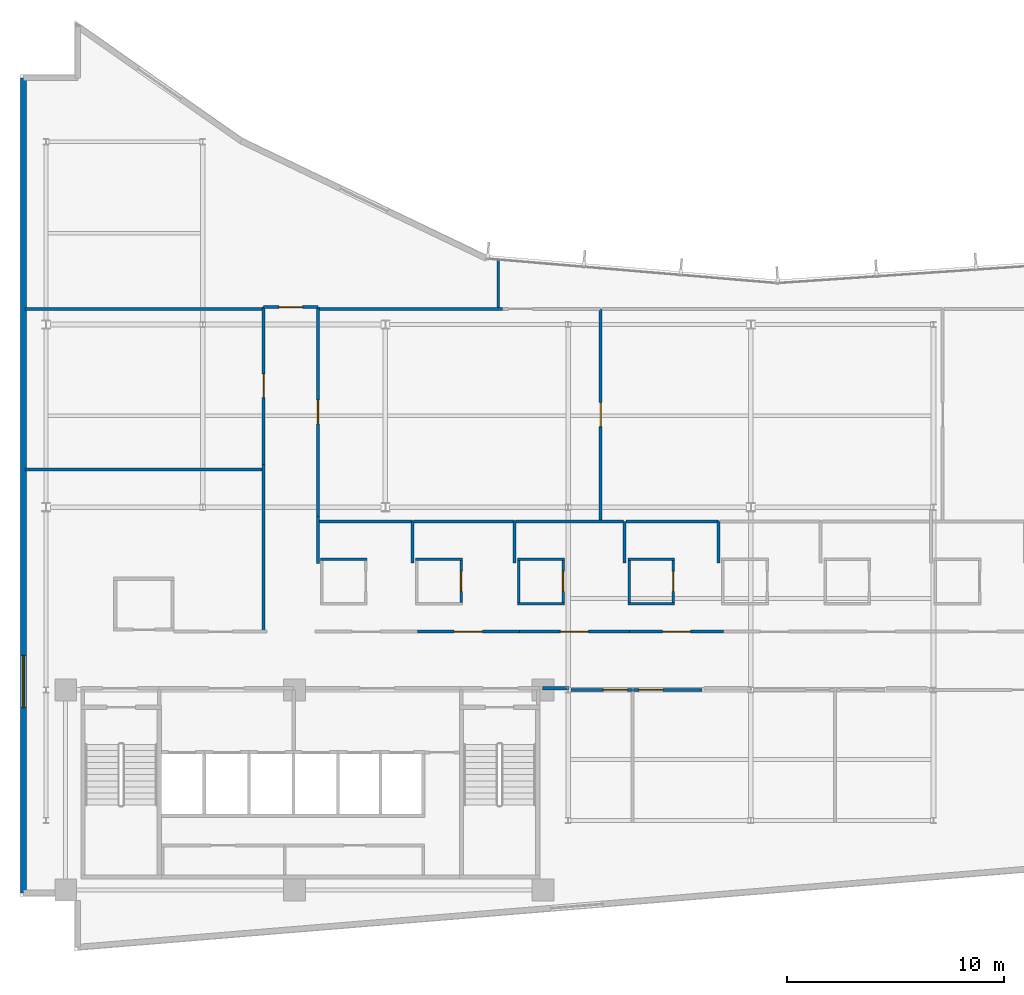
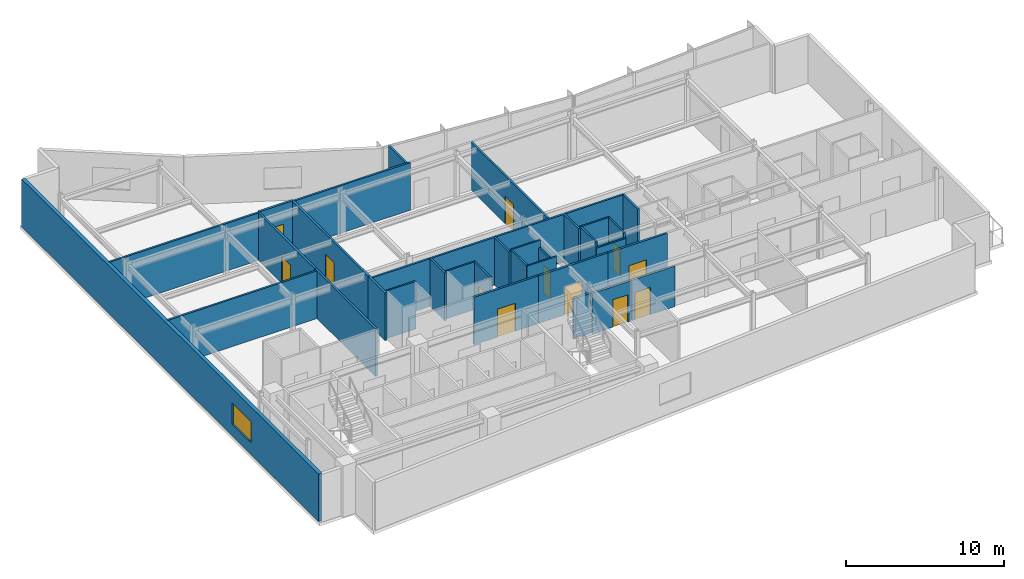
# One storey, part 10 of 15: 36 walls, 12 doors, 1 window, 13 openings.
"""IFC4 building model written with IfcOpenShell, lengths in metres."""

from ifc_helpers import new_model, si_unit, direction, frame, frame_2d, origin, place, context, subcontext, project, spatial, rectangle, extrude, material, layer, layer_set, type_object, element, fill, save


model = new_model("IFC4")

# Units and contexts
model_context = context("Model", 3, precision=1e-05, world=origin(), true_north=direction((0.0, 1.0)))
body_context = subcontext(model_context, "Body", "Model", "MODEL_VIEW")
ifc_project = project(units=[si_unit("LENGTHUNIT", "METRE"), si_unit("AREAUNIT", "SQUARE_METRE"), si_unit("VOLUMEUNIT", "CUBIC_METRE"), si_unit("PLANEANGLEUNIT", "RADIAN"), si_unit("MASSUNIT", "GRAM", prefix="KILO")], contexts=[model_context])

# Site, building, storey
site_placement = place(None, origin())
site = spatial("IfcSite", under=ifc_project, at=site_placement, CompositionType="ELEMENT")
building_placement = place(site_placement, origin())
building = spatial("IfcBuilding", under=site, at=building_placement, Name="Varnakote Quay Hospital", CompositionType="ELEMENT")
storey_placement = place(building_placement, frame((0.0, 0.0, 231.60009765625)))
storey = spatial("IfcBuildingStorey", under=building, at=storey_placement, Name="L57", CompositionType="ELEMENT", Elevation=231.60009765625)

# Walls
ifc_material_1 = material(Name="Fire-rated acoustic gypsum stud wall", Category="gypsum")
ifc_layer_1 = layer(ifc_material_1, 0.159912109375)
ifc_layer_set_1 = layer_set([ifc_layer_1], Name="Fire-rated acoustic gypsum stud wall")
wall_type_1 = type_object("IfcWallType", Name="WL-COMP-160", PredefinedType="PARTITIONING", material=ifc_layer_set_1)
wall_1_placement = place(storey_placement, frame((24.02001953125, 12.080078125, 0.0), z_axis=(0.0, 0.0, 1.0), x_axis=(1.0, 0.0, 0.0)))
element("IfcWall", 1, at=wall_1_placement, inside=storey, type_object=wall_type_1, Name="L57 Corridor South Gap Wall", PredefinedType="PARTITIONING", context=body_context, shape_type="SweptSolid", body=[
    extrude(rectangle(XDim=1.21875, YDim=0.159912109375, at=frame_2d((0.609375, 0.0))), origin(), (0.0, 0.0, 1.0), 3.11181640625),
])
ifc_material_2 = material(Name="Moisture-resistant bathroom partition", Category="gypsum")
ifc_layer_2 = layer(ifc_material_2, 0.114990234375)
ifc_layer_set_2 = layer_set([ifc_layer_2], Name="Moisture-resistant bathroom partition")
wall_type_2 = type_object("IfcWallType", Name="WL-ENS-115", PredefinedType="PARTITIONING", material=ifc_layer_set_2)
wall_2_placement = place(storey_placement, frame((13.804931640625, 18.017578125, 0.0), z_axis=(0.0, 0.0, 1.0), x_axis=(1.0, 0.0, 0.0)))
element("IfcWall", 2, at=wall_2_placement, inside=storey, type_object=wall_type_2, Name="L57 Inpatient En-Suite Bathroom 01 N Wall", PredefinedType="PARTITIONING", context=body_context, shape_type="SweptSolid", body=[
    extrude(rectangle(XDim=2.150146484375, YDim=0.114990234375, at=frame_2d((1.0751953125, 0.0))), origin(), (0.0, 0.0, 1.0), 3.669921875),
])
wall_3_placement = place(storey_placement, frame((18.18505859375, 18.017578125, 0.0), z_axis=(0.0, 0.0, 1.0), x_axis=(1.0, 0.0, 0.0)))
element("IfcWall", 3, at=wall_3_placement, inside=storey, type_object=wall_type_2, Name="L57 Inpatient En-Suite Bathroom 02 N Wall", PredefinedType="PARTITIONING", context=body_context, shape_type="SweptSolid", body=[
    extrude(rectangle(XDim=2.14990234375, YDim=0.114990234375, at=frame_2d((1.074951171875, 0.0))), origin(), (0.0, 0.0, 1.0), 3.669921875),
])

# Wall, opening, door
wall_4_placement = place(storey_placement, frame((20.277587890625, 16.010009765625, 0.0), z_axis=(0.0, 0.0, 1.0), x_axis=(0.0, 1.0, 0.0)))
wall_4 = element("IfcWall", 4, at=wall_4_placement, inside=storey, type_object=wall_type_2, Name="L57 Inpatient En-Suite Bathroom 02 E Wall", PredefinedType="PARTITIONING", context=body_context, shape_type="SweptSolid", body=[
    extrude(rectangle(XDim=1.949951171875, YDim=0.114990234375, at=frame_2d((0.97509765625, 0.0))), origin(), (0.0, 0.0, 1.0), 3.669921875),
])
opening_1_placement = place(wall_4_placement, frame((0.514892578125, 0.0, 0.0)))
opening_1 = element("IfcOpeningElement", 5, at=opening_1_placement, cuts=wall_4, Name="Opening D-L57-ENS02", PredefinedType="OPENING", context=body_context, shape_type="SweptSolid", body=[
    extrude(rectangle(XDim=0.919921875, YDim=2.10009765625, at=frame_2d((0.4599609375, 1.050048828125))), frame((0.0, 0.0673828125, 0.0), z_axis=(0.0, -1.0, 0.0), x_axis=(1.0, 0.0, 0.0)), (0.0, 0.0, 1.0), 0.135009765625),
])
ifc_material_3 = material(Name="Moisture-sealed en-suite bathroom door")
door_type_1 = type_object("IfcDoorType", Name="DR-ENS-920x2100", OperationType="NOTDEFINED", PredefinedType="DOOR", material=ifc_material_3)
door_1_placement = place(opening_1_placement, origin())
door_1 = element("IfcDoor", 6, at=door_1_placement, inside=storey, type_object=door_type_1, Name="L57 Inpatient En-Suite Bathroom 02 Door", OperationType="SINGLE_SWING_RIGHT", OverallHeight=2.10009765625, OverallWidth=0.919921875, PredefinedType="DOOR", context=body_context, shape_type="SweptSolid", body=[
    extrude(rectangle(XDim=0.919921875, YDim=2.10009765625, at=frame_2d((0.4599609375, 1.050048828125))), frame((0.0, 0.02490234375, 0.0), z_axis=(0.0, -1.0, 0.0), x_axis=(1.0, 0.0, 0.0)), (0.0, 0.0, 1.0), 0.050048828125),
])
fill(opening_1, door_1)

# Walls
for number, where, z_axis, x_axis, name in (
    (7, (22.875, 15.952392578125, 0.0), (0.0, 0.0, 1.0), (1.0, 0.0, 0.0), "L57 Inpatient En-Suite Bathroom 03 S Wall"),
    (8, (22.875, 18.017578125, 0.0), (0.0, 0.0, 1.0), (1.0, 0.0, 0.0), "L57 Inpatient En-Suite Bathroom 03 N Wall"),
):
    element("IfcWall", number, at=place(storey_placement, frame(where, z_axis=z_axis, x_axis=x_axis)), inside=storey, type_object=wall_type_2, Name=name, PredefinedType="PARTITIONING", context=body_context, shape_type="SweptSolid", body=[
        extrude(rectangle(XDim=2.14990234375, YDim=0.114990234375, at=frame_2d((1.074951171875, 0.0))), origin(), (0.0, 0.0, 1.0), 3.669921875),
    ])
wall_5_placement = place(storey_placement, frame((22.9326171875, 16.010009765625, 0.0), z_axis=(0.0, 0.0, 1.0), x_axis=(0.0, 1.0, 0.0)))
element("IfcWall", 9, at=wall_5_placement, inside=storey, type_object=wall_type_2, Name="L57 Inpatient En-Suite Bathroom 03 W Wall", PredefinedType="PARTITIONING", context=body_context, shape_type="SweptSolid", body=[
    extrude(rectangle(XDim=1.949951171875, YDim=0.114990234375, at=frame_2d((0.97509765625, 0.0))), origin(), (0.0, 0.0, 1.0), 3.669921875),
])

# Wall, opening, door
wall_6_placement = place(storey_placement, frame((24.967529296875, 16.010009765625, 0.0), z_axis=(0.0, 0.0, 1.0), x_axis=(0.0, 1.0, 0.0)))
wall_6 = element("IfcWall", 10, at=wall_6_placement, inside=storey, type_object=wall_type_2, Name="L57 Inpatient En-Suite Bathroom 03 E Wall", PredefinedType="PARTITIONING", context=body_context, shape_type="SweptSolid", body=[
    extrude(rectangle(XDim=1.949951171875, YDim=0.114990234375, at=frame_2d((0.97509765625, 0.0))), origin(), (0.0, 0.0, 1.0), 3.116943359375),
])
opening_2_placement = place(wall_6_placement, frame((0.514892578125, 0.0, 0.0)))
opening_2 = element("IfcOpeningElement", 11, at=opening_2_placement, cuts=wall_6, Name="Opening D-L57-ENS03", PredefinedType="OPENING", context=body_context, shape_type="SweptSolid", body=[
    extrude(rectangle(XDim=0.919921875, YDim=2.10009765625, at=frame_2d((0.4599609375, 1.050048828125))), frame((0.0, 0.0673828125, 0.0), z_axis=(0.0, -1.0, 0.0), x_axis=(1.0, 0.0, 0.0)), (0.0, 0.0, 1.0), 0.135009765625),
])
door_2_placement = place(opening_2_placement, origin())
door_2 = element("IfcDoor", 12, at=door_2_placement, inside=storey, type_object=door_type_1, Name="L57 Inpatient En-Suite Bathroom 03 Door", OperationType="SINGLE_SWING_LEFT", OverallHeight=2.10009765625, OverallWidth=0.919921875, PredefinedType="DOOR", context=body_context, shape_type="SweptSolid", body=[
    extrude(rectangle(XDim=0.919921875, YDim=2.10009765625, at=frame_2d((0.4599609375, 1.050048828125))), frame((0.0, 0.02490234375, 0.0), z_axis=(0.0, -1.0, 0.0), x_axis=(1.0, 0.0, 0.0)), (0.0, 0.0, 1.0), 0.050048828125),
])
fill(opening_2, door_2)

# Walls
wall_7_placement = place(storey_placement, frame((27.945068359375, 15.952392578125, 0.0), z_axis=(0.0, 0.0, 1.0), x_axis=(1.0, 0.0, 0.0)))
element("IfcWall", 13, at=wall_7_placement, inside=storey, type_object=wall_type_2, Name="L57 Inpatient En-Suite Bathroom 04 S Wall", PredefinedType="PARTITIONING", context=body_context, shape_type="SweptSolid", body=[
    extrude(rectangle(XDim=2.14990234375, YDim=0.114990234375, at=frame_2d((1.074951171875, 0.0))), origin(), (0.0, 0.0, 1.0), 3.288818359375),
])
wall_8_placement = place(storey_placement, frame((27.945068359375, 18.017578125, 0.0), z_axis=(0.0, 0.0, 1.0), x_axis=(1.0, 0.0, 0.0)))
element("IfcWall", 14, at=wall_8_placement, inside=storey, type_object=wall_type_2, Name="L57 Inpatient En-Suite Bathroom 04 N Wall", PredefinedType="PARTITIONING", context=body_context, shape_type="SweptSolid", body=[
    extrude(rectangle(XDim=2.14990234375, YDim=0.114990234375, at=frame_2d((1.074951171875, 0.0))), origin(), (0.0, 0.0, 1.0), 3.669921875),
])
wall_9_placement = place(storey_placement, frame((28.00244140625, 16.010009765625, 0.0), z_axis=(0.0, 0.0, 1.0), x_axis=(0.0, 1.0, 0.0)))
element("IfcWall", 15, at=wall_9_placement, inside=storey, type_object=wall_type_2, Name="L57 Inpatient En-Suite Bathroom 04 W Wall", PredefinedType="PARTITIONING", context=body_context, shape_type="SweptSolid", body=[
    extrude(rectangle(XDim=1.949951171875, YDim=0.114990234375, at=frame_2d((0.97509765625, 0.0))), origin(), (0.0, 0.0, 1.0), 3.669921875),
])

# Wall, opening, door
wall_10_placement = place(storey_placement, frame((30.03759765625, 16.010009765625, 0.0), z_axis=(0.0, 0.0, 1.0), x_axis=(0.0, 1.0, 0.0)))
wall_10 = element("IfcWall", 16, at=wall_10_placement, inside=storey, type_object=wall_type_2, Name="L57 Inpatient En-Suite Bathroom 04 E Wall", PredefinedType="PARTITIONING", context=body_context, shape_type="SweptSolid", body=[
    extrude(rectangle(XDim=1.949951171875, YDim=0.114990234375, at=frame_2d((0.97509765625, 0.0))), origin(), (0.0, 0.0, 1.0), 3.669921875),
])
opening_3_placement = place(wall_10_placement, frame((0.514892578125, 0.0, 0.0)))
opening_3 = element("IfcOpeningElement", 17, at=opening_3_placement, cuts=wall_10, Name="Opening D-L57-ENS04", PredefinedType="OPENING", context=body_context, shape_type="SweptSolid", body=[
    extrude(rectangle(XDim=0.919921875, YDim=2.10009765625, at=frame_2d((0.4599609375, 1.050048828125))), frame((0.0, 0.0673828125, 0.0), z_axis=(0.0, -1.0, 0.0), x_axis=(1.0, 0.0, 0.0)), (0.0, 0.0, 1.0), 0.135009765625),
])
door_3_placement = place(opening_3_placement, origin())
door_3 = element("IfcDoor", 18, at=door_3_placement, inside=storey, type_object=door_type_1, Name="L57 Inpatient En-Suite Bathroom 04 Door", OperationType="SINGLE_SWING_RIGHT", OverallHeight=2.10009765625, OverallWidth=0.919921875, PredefinedType="DOOR", context=body_context, shape_type="SweptSolid", body=[
    extrude(rectangle(XDim=0.919921875, YDim=2.10009765625, at=frame_2d((0.4599609375, 1.050048828125))), frame((0.0, 0.02490234375, 0.0), z_axis=(0.0, -1.0, 0.0), x_axis=(1.0, 0.0, 0.0)), (0.0, 0.0, 1.0), 0.050048828125),
])
fill(opening_3, door_3)

# Wall, opening, window
ifc_material_4 = material(Name="Precast concrete N50 (f'c 50 MPa)", Category="concrete")
ifc_layer_3 = layer(ifc_material_4, 0.260009765625)
ifc_layer_set_3 = layer_set([ifc_layer_3], Name="Precast concrete N50 (f'c 50 MPa)")
wall_type_3 = type_object("IfcWallType", Name="WL-EXT-BRICK-260", PredefinedType="STANDARD", material=ifc_layer_set_3)
wall_11_placement = place(storey_placement, frame((0.159912109375, 40.139892578125, 0.0), z_axis=(0.0, 0.0, 1.0), x_axis=(0.0, -1.0, 0.0)))
wall_11 = element("IfcWall", 19, at=wall_11_placement, inside=storey, type_object=wall_type_3, Name="L57 Brick-Faced Precast Exterior Wall", PredefinedType="STANDARD", context=body_context, shape_type="SweptSolid", body=[
    extrude(rectangle(XDim=37.47998046875, YDim=0.260009765625, at=frame_2d((18.739990234375, 0.0))), origin(), (0.0, 0.0, 1.0), 3.669921875),
])
opening_4_placement = place(wall_11_placement, frame((26.550048828125, 0.0, 0.89990234375)))
opening_4 = element("IfcOpeningElement", 20, at=opening_4_placement, cuts=wall_11, Name="Opening WN-0237", PredefinedType="OPENING", context=body_context, shape_type="SweptSolid", body=[
    extrude(rectangle(XDim=2.39990234375, YDim=1.64990234375, at=frame_2d((1.199951171875, 0.824951171875))), frame((0.0, 0.139892578125, 0.0), z_axis=(0.0, -1.0, 0.0), x_axis=(1.0, 0.0, 0.0)), (0.0, 0.0, 1.0), 0.280029296875),
])
ifc_material_5 = material(Name="Double-glazed low-E solar glass", Category="glass")
window_type = type_object("IfcWindowType", Name="WIN-CLIN-2400x1650", PartitioningType="SINGLE_PANEL", PredefinedType="WINDOW", material=ifc_material_5)
window_placement = place(opening_4_placement, origin())
window = element("IfcWindow", 21, at=window_placement, inside=storey, type_object=window_type, Name="L57 Solar-Control Clinical Window", OverallHeight=1.64990234375, OverallWidth=2.39990234375, PartitioningType="SINGLE_PANEL", PredefinedType="WINDOW", context=body_context, shape_type="SweptSolid", body=[
    extrude(rectangle(XDim=2.39990234375, YDim=1.64990234375, at=frame_2d((1.199951171875, 0.824951171875))), frame((0.0, 0.030029296875, 0.0), z_axis=(0.0, -1.0, 0.0), x_axis=(1.0, 0.0, 0.0)), (0.0, 0.0, 1.0), 0.06005859375),
])
fill(opening_4, window)

# Walls
ifc_material_6 = material(Name="Smoke-proof clinical partition", Category="gypsum")
ifc_layer_4 = layer(ifc_material_6, 0.135009765625)
ifc_layer_set_4 = layer_set([ifc_layer_4], Name="Smoke-proof clinical partition")
wall_type_4 = type_object("IfcWallType", Name="WL-SMOKE-135", PredefinedType="PARTITIONING", material=ifc_layer_set_4)
for number, where, z_axis, x_axis, name in (
    (22, (11.1201171875, 22.139892578125, 0.0), (0.0, 0.0, 1.0), (-1.0, 0.0, 0.0), "L57 Clinical Interior Partition"),
    (23, (11.1201171875, 29.52001953125, 0.0), (0.0, 0.0, 1.0), (-1.0, 0.0, 0.0), "L57 Clinical Interior Partition"),
):
    element("IfcWall", number, at=place(storey_placement, frame(where, z_axis=z_axis, x_axis=x_axis)), inside=storey, type_object=wall_type_4, Name=name, PredefinedType="PARTITIONING", context=body_context, shape_type="SweptSolid", body=[
        extrude(rectangle(XDim=10.880126953125, YDim=0.135009765625, at=frame_2d((5.43994140625, 0.0))), origin(), (0.0, 0.0, 1.0), 3.669921875),
    ])
wall_12_placement = place(storey_placement, frame((18.0400390625, 17.83251953125, 0.0), z_axis=(0.0, 0.0, 1.0), x_axis=(0.0, 1.0, 0.0)))
element("IfcWall", 24, at=wall_12_placement, inside=storey, type_object=wall_type_4, Name="L57 Clinical Interior Partition", PredefinedType="PARTITIONING", context=body_context, shape_type="SweptSolid", body=[
    extrude(rectangle(XDim=1.907470703125, YDim=0.135009765625, at=frame_2d((0.95361328125, 0.0))), origin(), (0.0, 0.0, 1.0), 3.669921875),
])
wall_13_placement = place(storey_placement, frame((18.0400390625, 19.739990234375, 0.0), z_axis=(0.0, 0.0, 1.0), x_axis=(-1.0, 0.0, 0.0)))
element("IfcWall", 25, at=wall_13_placement, inside=storey, type_object=wall_type_4, Name="L57 Clinical Interior Partition", PredefinedType="PARTITIONING", context=body_context, shape_type="SweptSolid", body=[
    extrude(rectangle(XDim=4.260009765625, YDim=0.135009765625, at=frame_2d((2.1298828125, 0.0))), origin(), (0.0, 0.0, 1.0), 3.669921875),
])
wall_14_placement = place(storey_placement, frame((22.72998046875, 17.83251953125, 0.0), z_axis=(0.0, 0.0, 1.0), x_axis=(0.0, 1.0, 0.0)))
element("IfcWall", 26, at=wall_14_placement, inside=storey, type_object=wall_type_4, Name="L57 Clinical Interior Partition", PredefinedType="PARTITIONING", context=body_context, shape_type="SweptSolid", body=[
    extrude(rectangle(XDim=1.907470703125, YDim=0.135009765625, at=frame_2d((0.95361328125, 0.0))), origin(), (0.0, 0.0, 1.0), 3.669921875),
])
wall_15_placement = place(storey_placement, frame((22.72998046875, 19.739990234375, 0.0), z_axis=(0.0, 0.0, 1.0), x_axis=(-1.0, 0.0, 0.0)))
element("IfcWall", 27, at=wall_15_placement, inside=storey, type_object=wall_type_4, Name="L57 Clinical Interior Partition", PredefinedType="PARTITIONING", context=body_context, shape_type="SweptSolid", body=[
    extrude(rectangle(XDim=4.632568359375, YDim=0.135009765625, at=frame_2d((2.31640625, 0.0))), origin(), (0.0, 0.0, 1.0), 3.669921875),
])
wall_16_placement = place(storey_placement, frame((27.800048828125, 17.83251953125, 0.0), z_axis=(0.0, 0.0, 1.0), x_axis=(0.0, 1.0, 0.0)))
element("IfcWall", 28, at=wall_16_placement, inside=storey, type_object=wall_type_4, Name="L57 Clinical Interior Partition", PredefinedType="PARTITIONING", context=body_context, shape_type="SweptSolid", body=[
    extrude(rectangle(XDim=1.907470703125, YDim=0.135009765625, at=frame_2d((0.95361328125, 0.0))), origin(), (0.0, 0.0, 1.0), 3.669921875),
])
wall_17_placement = place(storey_placement, frame((27.742431640625, 19.739990234375, 0.0), z_axis=(0.0, 0.0, 1.0), x_axis=(-1.0, 0.0, 0.0)))
element("IfcWall", 29, at=wall_17_placement, inside=storey, type_object=wall_type_4, Name="L57 Clinical Interior Partition", PredefinedType="PARTITIONING", context=body_context, shape_type="SweptSolid", body=[
    extrude(rectangle(XDim=4.954833984375, YDim=0.135009765625, at=frame_2d((2.4775390625, 0.0))), origin(), (0.0, 0.0, 1.0), 3.669921875),
])
wall_18_placement = place(storey_placement, frame((32.1201171875, 17.83251953125, 0.0), z_axis=(0.0, 0.0, 1.0), x_axis=(0.0, 1.0, 0.0)))
element("IfcWall", 30, at=wall_18_placement, inside=storey, type_object=wall_type_4, Name="L57 Clinical Interior Partition", PredefinedType="PARTITIONING", context=body_context, shape_type="SweptSolid", body=[
    extrude(rectangle(XDim=1.907470703125, YDim=0.135009765625, at=frame_2d((0.95361328125, 0.0))), origin(), (0.0, 0.0, 1.0), 3.669921875),
])
wall_19_placement = place(storey_placement, frame((32.1201171875, 19.739990234375, 0.0), z_axis=(0.0, 0.0, 1.0), x_axis=(-1.0, 0.0, 0.0)))
element("IfcWall", 31, at=wall_19_placement, inside=storey, type_object=wall_type_4, Name="L57 Clinical Interior Partition", PredefinedType="PARTITIONING", context=body_context, shape_type="SweptSolid", body=[
    extrude(rectangle(XDim=4.2626953125, YDim=0.135009765625, at=frame_2d((2.13134765625, 0.0))), origin(), (0.0, 0.0, 1.0), 3.669921875),
])

# Wall, opening, door
wall_20_placement = place(storey_placement, frame((26.699951171875, 19.797607421875, 0.0), z_axis=(0.0, 0.0, 1.0), x_axis=(0.0, 1.0, 0.0)))
wall_20 = element("IfcWall", 32, at=wall_20_placement, inside=storey, type_object=wall_type_4, Name="L57 Clinical Interior Partition", PredefinedType="PARTITIONING", context=body_context, shape_type="SweptSolid", body=[
    extrude(rectangle(XDim=9.722412109375, YDim=0.135009765625, at=frame_2d((4.861328125, 0.0))), origin(), (0.0, 0.0, 1.0), 3.669921875),
])
opening_5_placement = place(wall_20_placement, frame((4.311279296875, 0.0, 0.0)))
opening_5 = element("IfcOpeningElement", 33, at=opening_5_placement, cuts=wall_20, Name="Opening D-L57-MD04", PredefinedType="OPENING", context=body_context, shape_type="SweptSolid", body=[
    extrude(rectangle(XDim=1.10009765625, YDim=2.10009765625, at=frame_2d((0.550048828125, 1.050048828125))), frame((0.0, 0.077392578125, 0.0), z_axis=(0.0, -1.0, 0.0), x_axis=(1.0, 0.0, 0.0)), (0.0, 0.0, 1.0), 0.155029296875),
])
ifc_material_7 = material(Name="Acoustic timber clinical consult door", Category="wood")
door_type_2 = type_object("IfcDoorType", Name="DR-CLIN-FD30S-1100x2100", OperationType="NOTDEFINED", PredefinedType="DOOR", material=ifc_material_7)
door_4_placement = place(opening_5_placement, origin())
door_4 = element("IfcDoor", 34, at=door_4_placement, inside=storey, type_object=door_type_2, Name="L57 Clinical Research Teaching Room Door", OperationType="SINGLE_SWING_RIGHT", OverallHeight=2.10009765625, OverallWidth=1.10009765625, PredefinedType="DOOR", context=body_context, shape_type="SweptSolid", body=[
    extrude(rectangle(XDim=1.10009765625, YDim=2.10009765625, at=frame_2d((0.550048828125, 1.050048828125))), frame((0.0, 0.02490234375, 0.0), z_axis=(0.0, -1.0, 0.0), x_axis=(1.0, 0.0, 0.0)), (0.0, 0.0, 1.0), 0.050048828125),
])
fill(opening_5, door_4)

# Walls
wall_21_placement = place(storey_placement, frame((22.1845703125, 29.52001953125, 0.0), z_axis=(0.0, 0.0, 1.0), x_axis=(-1.0, 0.0, 0.0)))
element("IfcWall", 35, at=wall_21_placement, inside=storey, type_object=wall_type_4, Name="L57 Clinical Interior Partition", PredefinedType="PARTITIONING", context=body_context, shape_type="SweptSolid", body=[
    extrude(rectangle(XDim=8.404541015625, YDim=0.135009765625, at=frame_2d((4.2021484375, 0.0))), origin(), (0.0, 0.0, 1.0), 3.669921875),
])
wall_22_placement = place(storey_placement, frame((21.989990234375, 29.577392578125, 0.0), z_axis=(0.0, 0.0, 1.0), x_axis=(0.0, 1.0, 0.0)))
element("IfcWall", 36, at=wall_22_placement, inside=storey, type_object=wall_type_4, Name="L57 Clinical Interior Partition", PredefinedType="PARTITIONING", context=body_context, shape_type="SweptSolid", body=[
    extrude(rectangle(XDim=2.200927734375, YDim=0.135009765625, at=frame_2d((1.1005859375, 0.0))), origin(), (0.0, 0.0, 1.0), 3.669921875),
])

# Wall, opening, door
ifc_material_8 = material(Name="Fire-rated clinical gypsum partition", Category="gypsum")
ifc_layer_5 = layer(ifc_material_8, 0.14990234375)
ifc_layer_set_5 = layer_set([ifc_layer_5], Name="Fire-rated clinical gypsum partition")
wall_type_5 = type_object("IfcWallType", Name="WL-WARD-150", PredefinedType="PARTITIONING", material=ifc_layer_set_5)
wall_23_placement = place(storey_placement, frame((28.159912109375, 12.0, 0.0), z_axis=(0.0, 0.0, 1.0), x_axis=(-1.0, 0.0, 0.0)))
wall_23 = element("IfcWall", 37, at=wall_23_placement, inside=storey, type_object=wall_type_5, Name="L57 Clinical Interior Partition", PredefinedType="PARTITIONING", context=body_context, shape_type="SweptSolid", body=[
    extrude(rectangle(XDim=2.83203125, YDim=0.14990234375, at=frame_2d((1.416015625, 0.0))), origin(), (0.0, 0.0, 1.0), 3.11181640625),
])
opening_6_placement = place(wall_23_placement, frame((0.2333984375, 0.0, 0.0)))
opening_6 = element("IfcOpeningElement", 38, at=opening_6_placement, cuts=wall_23, Name="Opening D-L57-RL1", PredefinedType="OPENING", context=body_context, shape_type="SweptSolid", body=[
    extrude(rectangle(XDim=1.10009765625, YDim=2.10009765625, at=frame_2d((0.550048828125, 1.050048828125))), frame((0.0, 0.0849609375, 0.0), z_axis=(0.0, -1.0, 0.0), x_axis=(1.0, 0.0, 0.0)), (0.0, 0.0, 1.0), 0.169921875),
])
door_5_placement = place(opening_6_placement, origin())
door_5 = element("IfcDoor", 39, at=door_5_placement, inside=storey, type_object=door_type_2, Name="L57 Day Infusion Treatment Suite Door", OperationType="SINGLE_SWING_LEFT", OverallHeight=2.10009765625, OverallWidth=1.10009765625, PredefinedType="DOOR", context=body_context, shape_type="SweptSolid", body=[
    extrude(rectangle(XDim=1.10009765625, YDim=2.10009765625, at=frame_2d((0.550048828125, 1.050048828125))), frame((0.0, 0.02490234375, 0.0), z_axis=(0.0, -1.0, 0.0), x_axis=(1.0, 0.0, 0.0)), (0.0, 0.0, 1.0), 0.050048828125),
])
fill(opening_6, door_5)

wall_24_placement = place(storey_placement, frame((31.35009765625, 12.0, 0.0), z_axis=(0.0, 0.0, 1.0), x_axis=(-1.0, 0.0, 0.0)))
wall_24 = element("IfcWall", 40, at=wall_24_placement, inside=storey, type_object=wall_type_5, Name="L57 Clinical Interior Partition", PredefinedType="PARTITIONING", context=body_context, shape_type="SweptSolid", body=[
    extrude(rectangle(XDim=3.132568359375, YDim=0.14990234375, at=frame_2d((1.56640625, 0.0))), origin(), (0.0, 0.0, 1.0), 3.11181640625),
])
opening_7_placement = place(wall_24_placement, frame((1.791748046875, 0.0, 0.0)))
opening_7 = element("IfcOpeningElement", 41, at=opening_7_placement, cuts=wall_24, Name="Opening D-L57-RL2", PredefinedType="OPENING", context=body_context, shape_type="SweptSolid", body=[
    extrude(rectangle(XDim=1.10009765625, YDim=2.10009765625, at=frame_2d((0.550048828125, 1.050048828125))), frame((0.0, 0.0849609375, 0.0), z_axis=(0.0, -1.0, 0.0), x_axis=(1.0, 0.0, 0.0)), (0.0, 0.0, 1.0), 0.169921875),
])
door_6_placement = place(opening_7_placement, origin())
door_6 = element("IfcDoor", 42, at=door_6_placement, inside=storey, type_object=door_type_2, Name="L57 Telemedicine Consult Office Door", OperationType="SINGLE_SWING_RIGHT", OverallHeight=2.10009765625, OverallWidth=1.10009765625, PredefinedType="DOOR", context=body_context, shape_type="SweptSolid", body=[
    extrude(rectangle(XDim=1.10009765625, YDim=2.10009765625, at=frame_2d((0.550048828125, 1.050048828125))), frame((0.0, 0.02490234375, 0.0), z_axis=(0.0, -1.0, 0.0), x_axis=(1.0, 0.0, 0.0)), (0.0, 0.0, 1.0), 0.050048828125),
])
fill(opening_7, door_6)

wall_25_placement = place(storey_placement, frame((22.9560546875, 14.679931640625, 0.0), z_axis=(0.0, 0.0, 1.0), x_axis=(-1.0, 0.0, 0.0)))
wall_25 = element("IfcWall", 43, at=wall_25_placement, inside=storey, type_object=wall_type_5, Name="L57 Clinical Interior Partition", PredefinedType="PARTITIONING", context=body_context, shape_type="SweptSolid", body=[
    extrude(rectangle(XDim=4.68798828125, YDim=0.14990234375, at=frame_2d((2.343994140625, 0.0))), origin(), (0.0, 0.0, 1.0), 3.669921875),
])
opening_8_placement = place(wall_25_placement, frame((1.694091796875, 0.0, 0.0)))
opening_8 = element("IfcOpeningElement", 44, at=opening_8_placement, cuts=wall_25, Name="Opening D-L57-BR02", PredefinedType="OPENING", context=body_context, shape_type="SweptSolid", body=[
    extrude(rectangle(XDim=1.300048828125, YDim=2.14990234375, at=frame_2d((0.64990234375, 1.074951171875))), frame((0.0, 0.0849609375, 0.0), z_axis=(0.0, -1.0, 0.0), x_axis=(1.0, 0.0, 0.0)), (0.0, 0.0, 1.0), 0.169921875),
])
ifc_material_9 = material(Name="Solid-core timber clinical bed door", Category="wood")
door_type_3 = type_object("IfcDoorType", Name="DR-WARD-FD30S-1300x2150", OperationType="NOTDEFINED", PredefinedType="DOOR", material=ifc_material_9)
door_7_placement = place(opening_8_placement, origin())
door_7 = element("IfcDoor", 45, at=door_7_placement, inside=storey, type_object=door_type_3, Name="L57 Resident Care Bedroom 02 Door", OperationType="SINGLE_SWING_RIGHT", OverallHeight=2.14990234375, OverallWidth=1.300048828125, PredefinedType="DOOR", context=body_context, shape_type="SweptSolid", body=[
    extrude(rectangle(XDim=1.300048828125, YDim=2.14990234375, at=frame_2d((0.64990234375, 1.074951171875))), frame((0.0, 0.02490234375, 0.0), z_axis=(0.0, -1.0, 0.0), x_axis=(1.0, 0.0, 0.0)), (0.0, 0.0, 1.0), 0.050048828125),
])
fill(opening_8, door_7)

wall_26_placement = place(storey_placement, frame((28.02587890625, 14.679931640625, 0.0), z_axis=(0.0, 0.0, 1.0), x_axis=(-1.0, 0.0, 0.0)))
wall_26 = element("IfcWall", 46, at=wall_26_placement, inside=storey, type_object=wall_type_5, Name="L57 Clinical Interior Partition", PredefinedType="PARTITIONING", context=body_context, shape_type="SweptSolid", body=[
    extrude(rectangle(XDim=5.06787109375, YDim=0.14990234375, at=frame_2d((2.533935546875, 0.0))), origin(), (0.0, 0.0, 1.0), 3.669921875),
])
opening_9_placement = place(wall_26_placement, frame((1.884033203125, 0.0, 0.0)))
opening_9 = element("IfcOpeningElement", 47, at=opening_9_placement, cuts=wall_26, Name="Opening D-L57-BR03", PredefinedType="OPENING", context=body_context, shape_type="SweptSolid", body=[
    extrude(rectangle(XDim=1.300048828125, YDim=2.14990234375, at=frame_2d((0.64990234375, 1.074951171875))), frame((0.0, 0.0849609375, 0.0), z_axis=(0.0, -1.0, 0.0), x_axis=(1.0, 0.0, 0.0)), (0.0, 0.0, 1.0), 0.169921875),
])
door_8_placement = place(opening_9_placement, origin())
door_8 = element("IfcDoor", 48, at=door_8_placement, inside=storey, type_object=door_type_3, Name="L57 Resident Care Bedroom 03 Door", OperationType="SINGLE_SWING_LEFT", OverallHeight=2.14990234375, OverallWidth=1.300048828125, PredefinedType="DOOR", context=body_context, shape_type="SweptSolid", body=[
    extrude(rectangle(XDim=1.300048828125, YDim=2.14990234375, at=frame_2d((0.64990234375, 1.074951171875))), frame((0.0, 0.02490234375, 0.0), z_axis=(0.0, -1.0, 0.0), x_axis=(1.0, 0.0, 0.0)), (0.0, 0.0, 1.0), 0.050048828125),
])
fill(opening_9, door_8)

wall_27_placement = place(storey_placement, frame((32.345947265625, 14.679931640625, 0.0), z_axis=(0.0, 0.0, 1.0), x_axis=(-1.0, 0.0, 0.0)))
wall_27 = element("IfcWall", 49, at=wall_27_placement, inside=storey, type_object=wall_type_5, Name="L57 Clinical Interior Partition", PredefinedType="PARTITIONING", context=body_context, shape_type="SweptSolid", body=[
    extrude(rectangle(XDim=4.31787109375, YDim=0.14990234375, at=frame_2d((2.158935546875, 0.0))), origin(), (0.0, 0.0, 1.0), 3.669921875),
])
opening_10_placement = place(wall_27_placement, frame((1.509033203125, 0.0, 0.0)))
opening_10 = element("IfcOpeningElement", 50, at=opening_10_placement, cuts=wall_27, Name="Opening D-L57-BR04", PredefinedType="OPENING", context=body_context, shape_type="SweptSolid", body=[
    extrude(rectangle(XDim=1.300048828125, YDim=2.14990234375, at=frame_2d((0.64990234375, 1.074951171875))), frame((0.0, 0.0849609375, 0.0), z_axis=(0.0, -1.0, 0.0), x_axis=(1.0, 0.0, 0.0)), (0.0, 0.0, 1.0), 0.169921875),
])
door_9_placement = place(opening_10_placement, origin())
door_9 = element("IfcDoor", 51, at=door_9_placement, inside=storey, type_object=door_type_3, Name="L57 Resident Care Bedroom 04 Door", OperationType="SINGLE_SWING_RIGHT", OverallHeight=2.14990234375, OverallWidth=1.300048828125, PredefinedType="DOOR", context=body_context, shape_type="SweptSolid", body=[
    extrude(rectangle(XDim=1.300048828125, YDim=2.14990234375, at=frame_2d((0.64990234375, 1.074951171875))), frame((0.0, 0.02490234375, 0.0), z_axis=(0.0, -1.0, 0.0), x_axis=(1.0, 0.0, 0.0)), (0.0, 0.0, 1.0), 0.050048828125),
])
fill(opening_10, door_9)

# Wall
wall_28_placement = place(storey_placement, frame((11.199951171875, 22.365966796875, 0.0), z_axis=(0.0, 0.0, 1.0), x_axis=(0.0, -1.0, 0.0)))
element("IfcWall", 52, at=wall_28_placement, inside=storey, type_object=wall_type_5, Name="L57 Clinical Interior Partition", PredefinedType="PARTITIONING", context=body_context, shape_type="SweptSolid", body=[
    extrude(rectangle(XDim=7.666015625, YDim=0.14990234375, at=frame_2d((3.8330078125, 0.0))), origin(), (0.0, 0.0, 1.0), 3.669921875),
])

# Wall, opening, door
wall_29_placement = place(storey_placement, frame((11.199951171875, 29.60009765625, 0.0), z_axis=(0.0, 0.0, 1.0), x_axis=(0.0, -1.0, 0.0)))
wall_29 = element("IfcWall", 53, at=wall_29_placement, inside=storey, type_object=wall_type_5, Name="L57 Clinical Interior Partition", PredefinedType="PARTITIONING", context=body_context, shape_type="SweptSolid", body=[
    extrude(rectangle(XDim=7.232177734375, YDim=0.14990234375, at=frame_2d((3.6162109375, 0.0))), origin(), (0.0, 0.0, 1.0), 3.669921875),
])
opening_11_placement = place(wall_29_placement, frame((3.06591796875, 0.0, 0.0)))
opening_11 = element("IfcOpeningElement", 54, at=opening_11_placement, cuts=wall_29, Name="Opening D-L57-MD02", PredefinedType="OPENING", context=body_context, shape_type="SweptSolid", body=[
    extrude(rectangle(XDim=1.10009765625, YDim=2.10009765625, at=frame_2d((0.550048828125, 1.050048828125))), frame((0.0, 0.0849609375, 0.0), z_axis=(0.0, -1.0, 0.0), x_axis=(1.0, 0.0, 0.0)), (0.0, 0.0, 1.0), 0.169921875),
])
door_10_placement = place(opening_11_placement, origin())
door_10 = element("IfcDoor", 55, at=door_10_placement, inside=storey, type_object=door_type_2, Name="L57 Vascular Observation Treatment Suite Door", OperationType="SINGLE_SWING_LEFT", OverallHeight=2.10009765625, OverallWidth=1.10009765625, PredefinedType="DOOR", context=body_context, shape_type="SweptSolid", body=[
    extrude(rectangle(XDim=1.10009765625, YDim=2.10009765625, at=frame_2d((0.550048828125, 1.050048828125))), frame((0.0, 0.02490234375, 0.0), z_axis=(0.0, -1.0, 0.0), x_axis=(1.0, 0.0, 0.0)), (0.0, 0.0, 1.0), 0.050048828125),
])
fill(opening_11, door_10)

# Wall
wall_30_placement = place(storey_placement, frame((13.699951171875, 17.81396484375, 0.0), z_axis=(0.0, 0.0, 1.0), x_axis=(0.0, 1.0, 0.0)))
element("IfcWall", 56, at=wall_30_placement, inside=storey, type_object=wall_type_5, Name="L57 Clinical Interior Partition", PredefinedType="PARTITIONING", context=body_context, shape_type="SweptSolid", body=[
    extrude(rectangle(XDim=2.152099609375, YDim=0.14990234375, at=frame_2d((1.076171875, 0.0))), origin(), (0.0, 0.0, 1.0), 3.669921875),
])

# Wall, opening, door
wall_31_placement = place(storey_placement, frame((13.699951171875, 19.968017578125, 0.0), z_axis=(0.0, 0.0, 1.0), x_axis=(0.0, 1.0, 0.0)))
wall_31 = element("IfcWall", 57, at=wall_31_placement, inside=storey, type_object=wall_type_5, Name="L57 Clinical Interior Partition", PredefinedType="PARTITIONING", context=body_context, shape_type="SweptSolid", body=[
    extrude(rectangle(XDim=9.632080078125, YDim=0.14990234375, at=frame_2d((4.81591796875, 0.0))), origin(), (0.0, 0.0, 1.0), 3.669921875),
])
opening_12_placement = place(wall_31_placement, frame((4.26611328125, 0.0, 0.0)))
opening_12 = element("IfcOpeningElement", 58, at=opening_12_placement, cuts=wall_31, Name="Opening D-L57-MD03", PredefinedType="OPENING", context=body_context, shape_type="SweptSolid", body=[
    extrude(rectangle(XDim=1.10009765625, YDim=2.10009765625, at=frame_2d((0.550048828125, 1.050048828125))), frame((0.0, 0.0849609375, 0.0), z_axis=(0.0, -1.0, 0.0), x_axis=(1.0, 0.0, 0.0)), (0.0, 0.0, 1.0), 0.169921875),
])
door_11_placement = place(opening_12_placement, origin())
door_11 = element("IfcDoor", 59, at=door_11_placement, inside=storey, type_object=door_type_2, Name="L57 Multidisciplinary Audit Meeting Room Door", OperationType="SINGLE_SWING_RIGHT", OverallHeight=2.10009765625, OverallWidth=1.10009765625, PredefinedType="DOOR", context=body_context, shape_type="SweptSolid", body=[
    extrude(rectangle(XDim=1.10009765625, YDim=2.10009765625, at=frame_2d((0.550048828125, 1.050048828125))), frame((0.0, 0.02490234375, 0.0), z_axis=(0.0, -1.0, 0.0), x_axis=(1.0, 0.0, 0.0)), (0.0, 0.0, 1.0), 0.050048828125),
])
fill(opening_12, door_11)

wall_32_placement = place(storey_placement, frame((13.699951171875, 29.60009765625, 0.0), z_axis=(0.0, 0.0, 1.0), x_axis=(-1.0, 0.0, 0.0)))
wall_32 = element("IfcWall", 60, at=wall_32_placement, inside=storey, type_object=wall_type_5, Name="L57 Clinical Interior Partition", PredefinedType="PARTITIONING", context=body_context, shape_type="SweptSolid", body=[
    extrude(rectangle(XDim=2.5, YDim=0.14990234375, at=frame_2d((1.25, 0.0))), origin(), (0.0, 0.0, 1.0), 3.669921875),
])
opening_13_placement = place(wall_32_placement, frame((0.699951171875, 0.0, 0.0)))
opening_13 = element("IfcOpeningElement", 61, at=opening_13_placement, cuts=wall_32, Name="Opening D-L57-MD05", PredefinedType="OPENING", context=body_context, shape_type="SweptSolid", body=[
    extrude(rectangle(XDim=1.10009765625, YDim=2.10009765625, at=frame_2d((0.550048828125, 1.050048828125))), frame((0.0, 0.0849609375, 0.0), z_axis=(0.0, -1.0, 0.0), x_axis=(1.0, 0.0, 0.0)), (0.0, 0.0, 1.0), 0.169921875),
])
door_12_placement = place(opening_13_placement, origin())
door_12 = element("IfcDoor", 62, at=door_12_placement, inside=storey, type_object=door_type_2, Name="L57 Outpatient Specialist Consult Office Door", OperationType="SINGLE_SWING_LEFT", OverallHeight=2.10009765625, OverallWidth=1.10009765625, PredefinedType="DOOR", context=body_context, shape_type="SweptSolid", body=[
    extrude(rectangle(XDim=1.10009765625, YDim=2.10009765625, at=frame_2d((0.550048828125, 1.050048828125))), frame((0.0, 0.02490234375, 0.0), z_axis=(0.0, -1.0, 0.0), x_axis=(1.0, 0.0, 0.0)), (0.0, 0.0, 1.0), 0.050048828125),
])
fill(opening_13, door_12)

save(model, "model.ifc")
